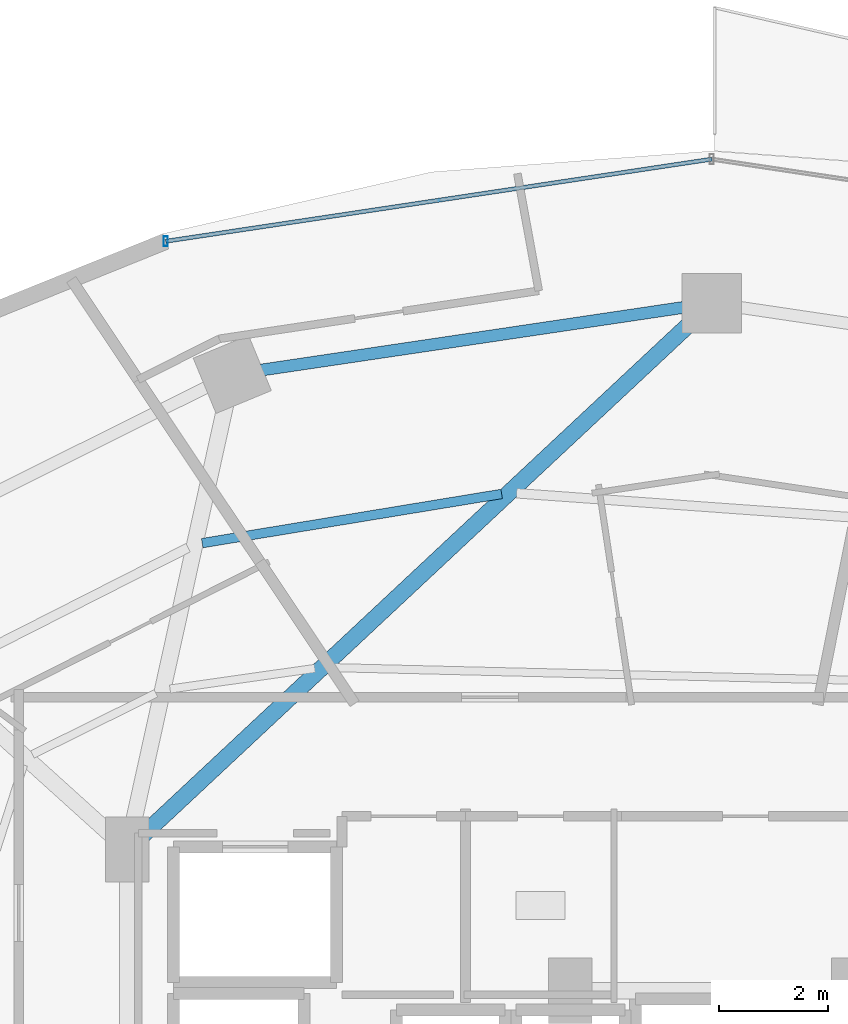
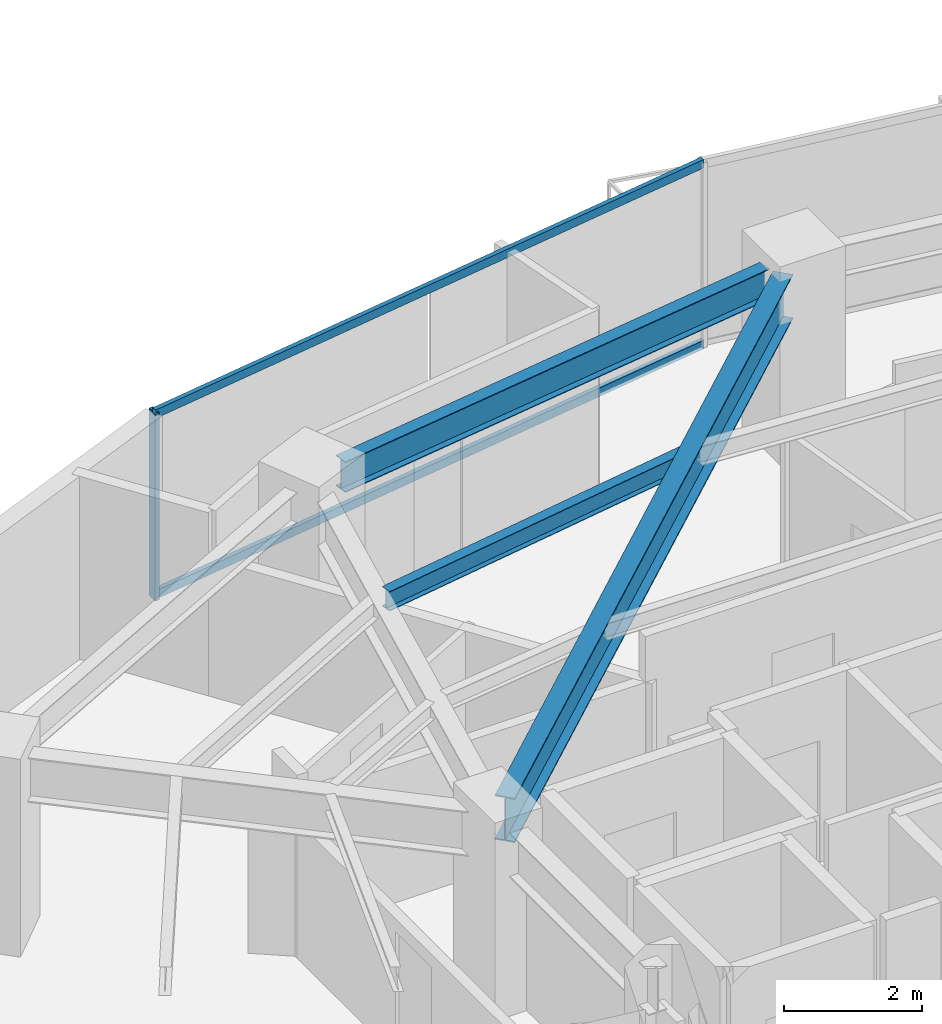
# One storey, part 18 of 29: 3 beams, 3 members, 1 element without a shape of its own.
"""IFC4 building model written with IfcOpenShell, lengths in metres."""

from ifc_helpers import new_model, si_unit, direction, frame, origin, origin_2d, place, context, subcontext, project, spatial, hollow_rectangle, i_section, extrude, material, material_profile, profile_set, type_object, element, aggregate, save


model = new_model("IFC4")

# Units and contexts
model_context = context("Model", 3, precision=1e-05, world=origin(), true_north=direction((0.0, 1.0)))
body_context = subcontext(model_context, "Body", "Model", "MODEL_VIEW")
ifc_project = project(units=[si_unit("LENGTHUNIT", "METRE"), si_unit("AREAUNIT", "SQUARE_METRE"), si_unit("VOLUMEUNIT", "CUBIC_METRE"), si_unit("PLANEANGLEUNIT", "RADIAN"), si_unit("MASSUNIT", "GRAM", prefix="KILO")], contexts=[model_context])

# Site, building, storey
site_placement = place(None, origin())
site = spatial("IfcSite", under=ifc_project, at=site_placement, CompositionType="ELEMENT")
building_placement = place(site_placement, origin())
building = spatial("IfcBuilding", under=site, at=building_placement, Name="Vorneva Point Tower", CompositionType="ELEMENT")
storey_placement = place(building_placement, frame((0.0, 0.0, 85.800048828125)))
storey = spatial("IfcBuildingStorey", under=building, at=storey_placement, Name="L22", CompositionType="ELEMENT", Elevation=85.800048828125)

# Beams
ifc_material_1 = material(Name="Steel S355", Category="steel")
ifc_material_profile_1 = material_profile(ifc_material_1, i_section(OverallWidth=0.300048828125, OverallDepth=0.7880859375, WebThickness=0.014404296875, FlangeThickness=0.02197265625, at=origin_2d()), Name="80Sh1")
ifc_profile_set_1 = profile_set([ifc_material_profile_1], Name="Steel S355")
beam_type_1 = type_object("IfcBeamType", Name="BM-GRD-80Sh1", PredefinedType="USERDEFINED", material=ifc_profile_set_1)
beam_1_placement = place(storey_placement, frame((37.60693359375, 42.83251953125, 2.845947265625), z_axis=(-0.730488863256, -0.682924608327, 0.0), x_axis=(0.682924608327, -0.730488863256, 0.0)))
element("IfcBeam", 1, at=beam_1_placement, inside=storey, type_object=beam_type_1, Name="L22 Radial Primary Girder 05", ObjectType="GIRDER", PredefinedType="USERDEFINED", context=body_context, shape_type="SweptSolid", body=[
    extrude(i_section(OverallWidth=0.300048828125, OverallDepth=0.7880859375, WebThickness=0.014404296875, FlangeThickness=0.02197265625, at=origin_2d()), origin(), (0.0, 0.0, 1.0), 13.838134765625),
])
ifc_material_profile_2 = material_profile(ifc_material_1, i_section(OverallWidth=0.174072265625, OverallDepth=0.345947265625, WebThickness=0.006103515625, FlangeThickness=0.009033203125, at=origin_2d()), Name="35B1")
ifc_profile_set_2 = profile_set([ifc_material_profile_2], Name="Steel S355")
beam_type_2 = type_object("IfcBeamType", Name="BM-SEC-35B1", PredefinedType="BEAM", material=ifc_profile_set_2)
beam_2_placement = place(storey_placement, frame((34.135009765625, 39.691650390625, 3.06689453125), z_axis=(-0.986762474115, -0.162172191443, 0.0), x_axis=(0.162172191443, -0.986762474115, 0.0)))
element("IfcBeam", 2, at=beam_2_placement, inside=storey, type_object=beam_type_2, Name="L22 Secondary Floor Beam 1.05", PredefinedType="BEAM", context=body_context, shape_type="SweptSolid", body=[
    extrude(i_section(OverallWidth=0.174072265625, OverallDepth=0.345947265625, WebThickness=0.006103515625, FlangeThickness=0.009033203125, at=origin_2d()), origin(), (0.0, 0.0, 1.0), 5.583740234375),
])
ifc_material_profile_3 = material_profile(ifc_material_1, i_section(OverallWidth=0.219970703125, OverallDepth=0.54296875, WebThickness=0.009521484375, FlangeThickness=0.013427734375, at=origin_2d()), Name="55B1")
ifc_profile_set_3 = profile_set([ifc_material_profile_3], Name="Steel S355")
beam_type_3 = type_object("IfcBeamType", Name="BM-SPN-55B1", PredefinedType="SPANDREL", material=ifc_profile_set_3)
beam_3_placement = place(storey_placement, frame((37.470703125, 43.121337890625, 2.968505859375), z_axis=(-0.989164507783, -0.146811363806, 0.0), x_axis=(0.146811363806, -0.989164507783, 0.0)))
element("IfcBeam", 3, at=beam_3_placement, inside=storey, type_object=beam_type_3, Name="L22 Perimeter Spandrel Ring Beam 05", PredefinedType="SPANDREL", context=body_context, shape_type="SweptSolid", body=[
    extrude(i_section(OverallWidth=0.219970703125, OverallDepth=0.54296875, WebThickness=0.009521484375, FlangeThickness=0.013427734375, at=origin_2d()), origin(), (0.0, 0.0, 1.0), 7.847412109375),
])

# Curtain wall, members
ifc_material_2 = material(Name="Pale anodised aluminium", Category="aluminium")
curtain_wall_type = type_object("IfcCurtainWallType", Name="CW-HTL-SYS", PredefinedType="NOTDEFINED", material=ifc_material_2)
curtain_wall_placement = place(storey_placement, origin())
curtain_wall = element("IfcCurtainWall", 4, at=curtain_wall_placement, inside=storey, type_object=curtain_wall_type, Name="L22 Unitised Curtain Wall CW-L22-R01", PredefinedType="NOTDEFINED")
ifc_material_profile_4 = material_profile(ifc_material_2, hollow_rectangle(XDim=0.074951171875, YDim=0.179931640625, WallThickness=0.00390625, at=origin_2d()), Name="AL-MUL 180x75x4")
ifc_profile_set_4 = profile_set([ifc_material_profile_4], Name="Pale anodised aluminium")
member_type_1 = type_object("IfcMemberType", Name="CW-MUL-180", PredefinedType="MULLION", material=ifc_profile_set_4)
member_1_placement = place(storey_placement, frame((27.95458984375, 44.339111328125, -0.0400390625), z_axis=(0.0, 0.0, 1.0), x_axis=(1.0, 0.0, 0.0)))
member_1 = element("IfcMember", 5, at=member_1_placement, type_object=member_type_1, Name="CW-L22-R01 Mullion 05", PredefinedType="MULLION", context=body_context, shape_type="SweptSolid", body=[
    extrude(hollow_rectangle(XDim=0.074951171875, YDim=0.179931640625, WallThickness=0.00390625, at=origin_2d()), origin(), (0.0, 0.0, 1.0), 3.31005859375),
])
ifc_material_profile_5 = material_profile(ifc_material_2, hollow_rectangle(XDim=0.074951171875, YDim=0.14990234375, WallThickness=0.00390625, at=origin_2d()), Name="AL-TRN 150x75x4")
ifc_profile_set_5 = profile_set([ifc_material_profile_5], Name="Pale anodised aluminium")
member_type_2 = type_object("IfcMemberType", Name="CW-TRN-150", PredefinedType="USERDEFINED", material=ifc_profile_set_5)
member_2_placement = place(storey_placement, frame((38.0, 45.85009765625, 0.02001953125), z_axis=(-0.988875982167, -0.148742367512, 0.0), x_axis=(0.148742367512, -0.988875982167, 0.0)))
member_2 = element("IfcMember", 6, at=member_2_placement, type_object=member_type_2, Name="CW-L22-R01 Transom 04.1", ObjectType="TRANSOM", PredefinedType="USERDEFINED", context=body_context, shape_type="SweptSolid", body=[
    extrude(hollow_rectangle(XDim=0.074951171875, YDim=0.14990234375, WallThickness=0.00390625, at=origin_2d()), origin(), (0.0, 0.0, 1.0), 10.158447265625),
])
member_3_placement = place(storey_placement, frame((38.0, 45.85009765625, 3.219970703125), z_axis=(-0.988875982167, -0.148742367512, 0.0), x_axis=(0.148742367512, -0.988875982167, 0.0)))
member_3 = element("IfcMember", 7, at=member_3_placement, type_object=member_type_2, Name="CW-L22-R01 Transom 04.2", ObjectType="TRANSOM", PredefinedType="USERDEFINED", context=body_context, shape_type="SweptSolid", body=[
    extrude(hollow_rectangle(XDim=0.074951171875, YDim=0.14990234375, WallThickness=0.00390625, at=origin_2d()), origin(), (0.0, 0.0, 1.0), 10.158447265625),
])
aggregate(curtain_wall, [member_1, member_2, member_3])

save(model, "model.ifc")
